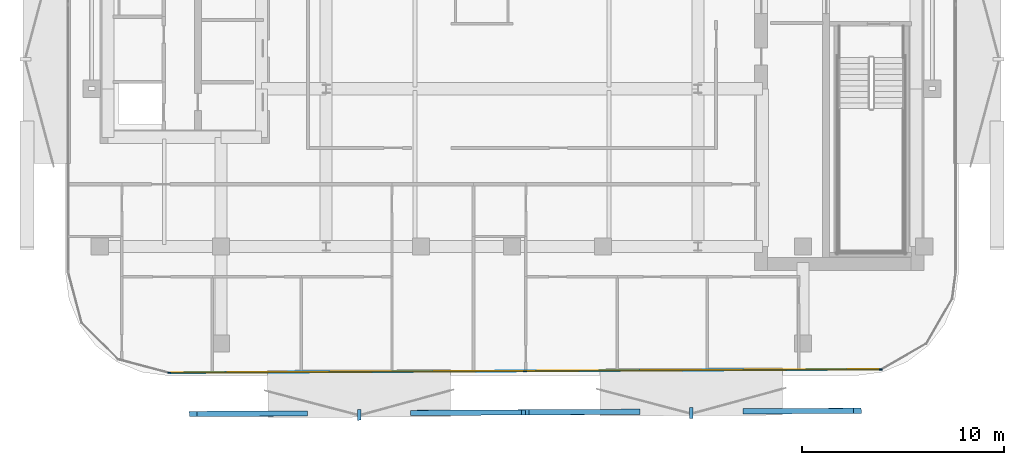
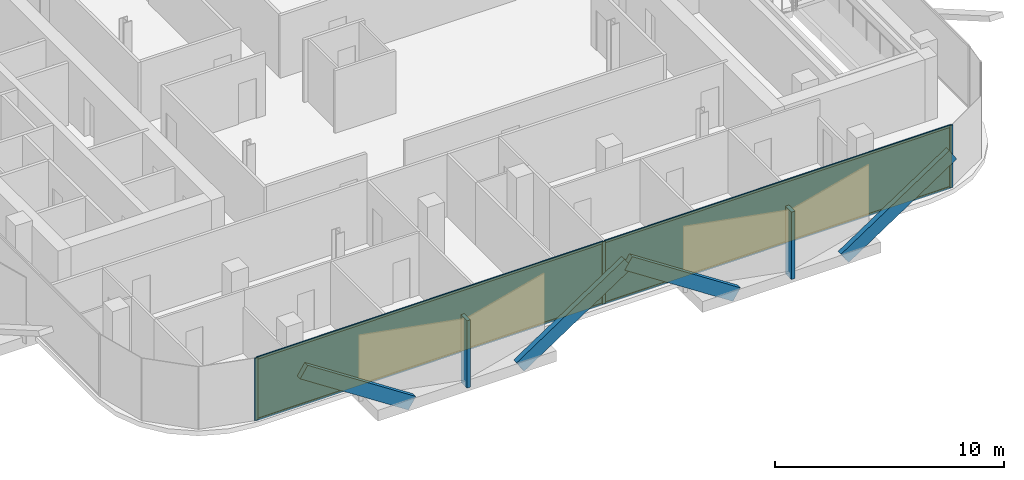
# One storey, part 8 of 14: 13 members, 2 plates, 1 curtain wall.
"""IFC4 building model written with IfcOpenShell, lengths in metres."""

from ifc_helpers import new_model, si_unit, direction, frame, frame_2d, origin, origin_2d, place, context, subcontext, project, spatial, rectangle, extrude, material, layer, layer_set, material_profile, profile_set, type_object, element, aggregate, save


model = new_model("IFC4")

# Units and contexts
model_context = context("Model", 3, precision=1e-05, world=origin(), true_north=direction((0.0, 1.0)))
body_context = subcontext(model_context, "Body", "Model", "MODEL_VIEW")
ifc_project = project(units=[si_unit("LENGTHUNIT", "METRE"), si_unit("AREAUNIT", "SQUARE_METRE"), si_unit("VOLUMEUNIT", "CUBIC_METRE"), si_unit("PLANEANGLEUNIT", "RADIAN"), si_unit("MASSUNIT", "GRAM", prefix="KILO")], contexts=[model_context])

# Member
ifc_material_1 = material(Name="Anodised Bronze Aluminium 6063-T6", Category="aluminium")
ifc_material_profile_1 = material_profile(ifc_material_1, rectangle(XDim=0.260009765625, YDim=0.699951171875, at=origin_2d()))
ifc_profile_set_1 = profile_set([ifc_material_profile_1], Name="Anodised Bronze Aluminium 6063-T6")
member_type_1 = type_object("IfcMemberType", Name="Bronze Diamond Solar-Screen Lattice Rib BDL-700", PredefinedType="MULLION", material=ifc_profile_set_1)
site_placement = place(None, origin())
building_placement = place(site_placement, origin())
storey_placement = place(building_placement, frame((0.0, 0.0, 229.60009765625)))
member_1_placement = place(storey_placement, frame((6.13525390625, -26.788330078125, -0.130126953125), z_axis=(-0.835725939674, -0.004059091321, 0.549131748794), x_axis=(-0.007540370975, 0.999963230548, -0.004084159318)))
member_1 = element("IfcMember", 1, at=member_1_placement, type_object=member_type_1, Name="L53 Bronze Diamond Solar Screen Lattice Rib 353A", PredefinedType="MULLION", context=body_context, shape_type="SweptSolid", body=[
    extrude(rectangle(XDim=0.260009765625, YDim=0.699951171875, at=origin_2d()), origin(), (0.0, 0.0, 1.0), 6.555908203125),
])

member_2_placement = place(storey_placement, frame((11.6142578125, -26.761962890625, -0.130126953125), z_axis=(0.835737294876, 0.004021727391, 0.549114741801), x_axis=(0.007495516814, -0.999963567548, -0.004084213926)))
member_2 = element("IfcMember", 2, at=member_2_placement, type_object=member_type_1, Name="L53 Bronze Diamond Solar Screen Lattice Rib 353B", PredefinedType="MULLION", context=body_context, shape_type="SweptSolid", body=[
    extrude(rectangle(XDim=0.260009765625, YDim=0.699951171875, at=origin_2d()), origin(), (0.0, 0.0, 1.0), 6.55615234375),
])

member_3_placement = place(storey_placement, frame((-10.302001953125, -26.86767578125, -0.130126953125), z_axis=(-0.835725939674, -0.004059091321, 0.549131748794), x_axis=(-0.007540370975, 0.999963230548, -0.004084159318)))
member_3 = element("IfcMember", 3, at=member_3_placement, type_object=member_type_1, Name="L53 Bronze Diamond Solar Screen Lattice Rib 354A", PredefinedType="MULLION", context=body_context, shape_type="SweptSolid", body=[
    extrude(rectangle(XDim=0.260009765625, YDim=0.699951171875, at=origin_2d()), origin(), (0.0, 0.0, 1.0), 6.555908203125),
])

member_4_placement = place(storey_placement, frame((-4.822998046875, -26.84130859375, -0.130126953125), z_axis=(0.835737294876, 0.004021727391, 0.549114741801), x_axis=(0.007495516814, -0.999963567548, -0.004084213926)))
member_4 = element("IfcMember", 4, at=member_4_placement, type_object=member_type_1, Name="L53 Bronze Diamond Solar Screen Lattice Rib 354B", PredefinedType="MULLION", context=body_context, shape_type="SweptSolid", body=[
    extrude(rectangle(XDim=0.260009765625, YDim=0.699951171875, at=origin_2d()), origin(), (0.0, 0.0, 1.0), 6.55615234375),
])

ifc_material_2 = material(Name="Anodised Bronze Aluminium 6063-T6", Category="aluminium")
ifc_material_profile_2 = material_profile(ifc_material_2, rectangle(XDim=0.179931640625, YDim=0.5400390625, at=origin_2d()))
ifc_profile_set_2 = profile_set([ifc_material_profile_2], Name="Anodised Bronze Aluminium 6063-T6")
member_type_2 = type_object("IfcMemberType", Name="Bronze Solar-Screen Vertical Fold Fin BSF-540", PredefinedType="MULLION", material=ifc_profile_set_2)
member_5_placement = place(storey_placement, frame((8.875244140625, -26.855224609375, -0.130126953125), z_axis=(0.0, 0.0, 1.0), x_axis=(-0.999988059021, -0.004886902454, 0.0)))
member_5 = element("IfcMember", 5, at=member_5_placement, type_object=member_type_2, Name="L53 Bronze Solar Screen Vertical Fin 353", PredefinedType="MULLION", context=body_context, shape_type="SweptSolid", body=[
    extrude(rectangle(XDim=0.179931640625, YDim=0.5400390625, at=origin_2d()), origin(), (0.0, 0.0, 1.0), 3.60009765625),
])

member_6_placement = place(storey_placement, frame((-7.56201171875, -26.9345703125, -0.130126953125), z_axis=(0.0, 0.0, 1.0), x_axis=(-0.999988059021, -0.004886902454, 0.0)))
member_6 = element("IfcMember", 6, at=member_6_placement, type_object=member_type_2, Name="L53 Bronze Solar Screen Vertical Fin 354", PredefinedType="MULLION", context=body_context, shape_type="SweptSolid", body=[
    extrude(rectangle(XDim=0.179931640625, YDim=0.5400390625, at=origin_2d()), origin(), (0.0, 0.0, 1.0), 3.60009765625),
])

ifc_material_3 = material(Name="Anodised Bronze Aluminium 6063-T6", Category="aluminium")
ifc_material_profile_3 = material_profile(ifc_material_3, rectangle(XDim=0.06005859375, YDim=0.159912109375, at=origin_2d()))
ifc_profile_set_3 = profile_set([ifc_material_profile_3], Name="Anodised Bronze Aluminium 6063-T6")
member_type_3 = type_object("IfcMemberType", Name="CW-Z4 Mullion 60x160", PredefinedType="MULLION", material=ifc_profile_set_3)
member_7_placement = place(storey_placement, frame((18.25341796875, -24.68994140625, 0.0), z_axis=(0.0, 0.0, 1.0), x_axis=(0.004824986425, -0.999988359685, 0.0)))
member_7 = element("IfcMember", 7, at=member_7_placement, type_object=member_type_3, Name="CW-Z4 mullion 1", PredefinedType="MULLION", context=body_context, shape_type="SweptSolid", body=[
    extrude(rectangle(XDim=0.06005859375, YDim=0.159912109375, at=origin_2d()), origin(), (0.0, 0.0, 1.0), 3.33984375),
])

member_8_placement = place(storey_placement, frame((0.646240234375, -24.77490234375, 0.0), z_axis=(0.0, 0.0, 1.0), x_axis=(0.004824986425, -0.999988359685, 0.0)))
member_8 = element("IfcMember", 8, at=member_8_placement, type_object=member_type_3, Name="CW-Z4 mullion 2", PredefinedType="MULLION", context=body_context, shape_type="SweptSolid", body=[
    extrude(rectangle(XDim=0.06005859375, YDim=0.159912109375, at=origin_2d()), origin(), (0.0, 0.0, 1.0), 3.33984375),
])

member_9_placement = place(storey_placement, frame((-16.960693359375, -24.85986328125, 0.0), z_axis=(0.0, 0.0, 1.0), x_axis=(0.004824986425, -0.999988359685, 0.0)))
member_9 = element("IfcMember", 9, at=member_9_placement, type_object=member_type_3, Name="CW-Z4 mullion 3", PredefinedType="MULLION", context=body_context, shape_type="SweptSolid", body=[
    extrude(rectangle(XDim=0.06005859375, YDim=0.159912109375, at=origin_2d()), origin(), (0.0, 0.0, 1.0), 3.33984375),
])

ifc_material_4 = material(Name="Anodised Bronze Aluminium 6063-T6", Category="aluminium")
ifc_material_profile_4 = material_profile(ifc_material_4, rectangle(XDim=0.06005859375, YDim=0.125, at=origin_2d()))
ifc_profile_set_4 = profile_set([ifc_material_profile_4], Name="Anodised Bronze Aluminium 6063-T6")
member_type_4 = type_object("IfcMemberType", Name="CW-Z4 Transom 60x125", PredefinedType="USERDEFINED", material=ifc_profile_set_4)
member_10_placement = place(storey_placement, frame((18.223388671875, -24.690185546875, 0.02978515625), z_axis=(-0.999988412677, -0.004813991218, 0.0), x_axis=(0.004813991218, -0.999988412677, 0.0)))
member_10 = element("IfcMember", 10, at=member_10_placement, type_object=member_type_4, Name="CW-Z4 transom 1.1", ObjectType="TRANSOM", PredefinedType="USERDEFINED", context=body_context, shape_type="SweptSolid", body=[
    extrude(rectangle(XDim=0.06005859375, YDim=0.125, at=origin_2d()), origin(), (0.0, 0.0, 1.0), 17.54736328125),
])

member_11_placement = place(storey_placement, frame((18.223388671875, -24.690185546875, 3.309814453125), z_axis=(-0.999988412677, -0.004813991218, 0.0), x_axis=(0.004813991218, -0.999988412677, 0.0)))
member_11 = element("IfcMember", 11, at=member_11_placement, type_object=member_type_4, Name="CW-Z4 transom 1.2", ObjectType="TRANSOM", PredefinedType="USERDEFINED", context=body_context, shape_type="SweptSolid", body=[
    extrude(rectangle(XDim=0.06005859375, YDim=0.125, at=origin_2d()), origin(), (0.0, 0.0, 1.0), 17.54736328125),
])

member_12_placement = place(storey_placement, frame((0.616455078125, -24.775146484375, 0.02978515625), z_axis=(-0.999988413, -0.004813924241, 0.0), x_axis=(0.004813924241, -0.999988413, 0.0)))
member_12 = element("IfcMember", 12, at=member_12_placement, type_object=member_type_4, Name="CW-Z4 transom 2.1", ObjectType="TRANSOM", PredefinedType="USERDEFINED", context=body_context, shape_type="SweptSolid", body=[
    extrude(rectangle(XDim=0.06005859375, YDim=0.125, at=origin_2d()), origin(), (0.0, 0.0, 1.0), 17.547607421875),
])

member_13_placement = place(storey_placement, frame((0.616455078125, -24.775146484375, 3.309814453125), z_axis=(-0.999988413, -0.004813924241, 0.0), x_axis=(0.004813924241, -0.999988413, 0.0)))
member_13 = element("IfcMember", 13, at=member_13_placement, type_object=member_type_4, Name="CW-Z4 transom 2.2", ObjectType="TRANSOM", PredefinedType="USERDEFINED", context=body_context, shape_type="SweptSolid", body=[
    extrude(rectangle(XDim=0.06005859375, YDim=0.125, at=origin_2d()), origin(), (0.0, 0.0, 1.0), 17.547607421875),
])

# Plate
ifc_material_5 = material(Name="Low-E Solar Control Laminated Glass", Category="glass")
ifc_layer_1 = layer(ifc_material_5, 0.030029296875, Name="Low-E Solar Control Laminated Glass")
ifc_layer_set_1 = layer_set([ifc_layer_1], Name="Low-E Solar Control Laminated Glass")
plate_type = type_object("IfcPlateType", Name="CW-Z4 Low-E Double Glazed Panel 30mm", PredefinedType="CURTAIN_PANEL", material=ifc_layer_set_1)
plate_1_placement = place(storey_placement, frame((9.449951171875, -24.732421875, 0.06005859375), z_axis=(0.0, 0.0, 1.0), x_axis=(-0.999988359685, -0.004824986425, 0.0)))
plate_1 = element("IfcPlate", 14, at=plate_1_placement, type_object=plate_type, Name="CW-Z4 panel 1.1", PredefinedType="CURTAIN_PANEL", context=body_context, shape_type="SweptSolid", body=[
    extrude(rectangle(XDim=17.54736328125, YDim=0.030029296875, at=origin_2d()), origin(), (0.0, 0.0, 1.0), 3.219970703125),
])

plate_2_placement = place(storey_placement, frame((-8.1572265625, -24.8173828125, 0.06005859375), z_axis=(0.0, 0.0, 1.0), x_axis=(-0.999988359685, -0.004824986425, 0.0)))
plate_2 = element("IfcPlate", 15, at=plate_2_placement, type_object=plate_type, Name="CW-Z4 panel 2.1", PredefinedType="CURTAIN_PANEL", context=body_context, shape_type="SweptSolid", body=[
    extrude(rectangle(XDim=17.54736328125, YDim=0.030029296875, at=origin_2d()), origin(), (0.0, 0.0, 1.0), 3.219970703125),
])

# Site, building, storey
site = spatial("IfcSite", under=ifc_project, at=site_placement, CompositionType="ELEMENT")
building = spatial("IfcBuilding", under=site, at=building_placement, Name="Khairoan Windgate Tower", CompositionType="ELEMENT")
storey = spatial("IfcBuildingStorey", under=building, at=storey_placement, Name="L53", CompositionType="ELEMENT", Elevation=229.60009765625)

# Curtain wall
ifc_material_6 = material(Name="Anodised Bronze Aluminium 6063-T6", Category="aluminium")
ifc_layer_2 = layer(ifc_material_6, 0.159912109375, Name="Anodised Bronze Aluminium 6063-T6")
ifc_layer_set_2 = layer_set([ifc_layer_2], Name="Anodised Bronze Aluminium 6063-T6")
curtain_wall_type = type_object("IfcCurtainWallType", Name="Sky Residence Unitised Curtain Wall CW-Z4", PredefinedType="NOTDEFINED", material=ifc_layer_set_2)
curtain_wall_placement = place(storey_placement, frame((18.283447265625, -24.689697265625, 0.0), z_axis=(0.0, 0.0, 1.0), x_axis=(-0.999988330836, -0.004830961808, 0.0)))
curtain_wall = element("IfcCurtainWall", 16, at=curtain_wall_placement, inside=storey, type_object=curtain_wall_type, Name="L53 Unitised Curtain Wall 1", PredefinedType="NOTDEFINED", context=body_context, shape_type="SweptSolid", body=[
    extrude(rectangle(XDim=35.274658203125, YDim=0.010009765625, at=frame_2d((17.63720703125, 0.0))), origin(), (0.0, 0.0, 1.0), 3.33984375),
])

aggregate(curtain_wall, [member_7, member_8, member_9, member_10, member_11, plate_1, member_12, member_13, plate_2, member_1, member_2, member_5, member_3, member_4, member_6])

save(model, "model.ifc")
